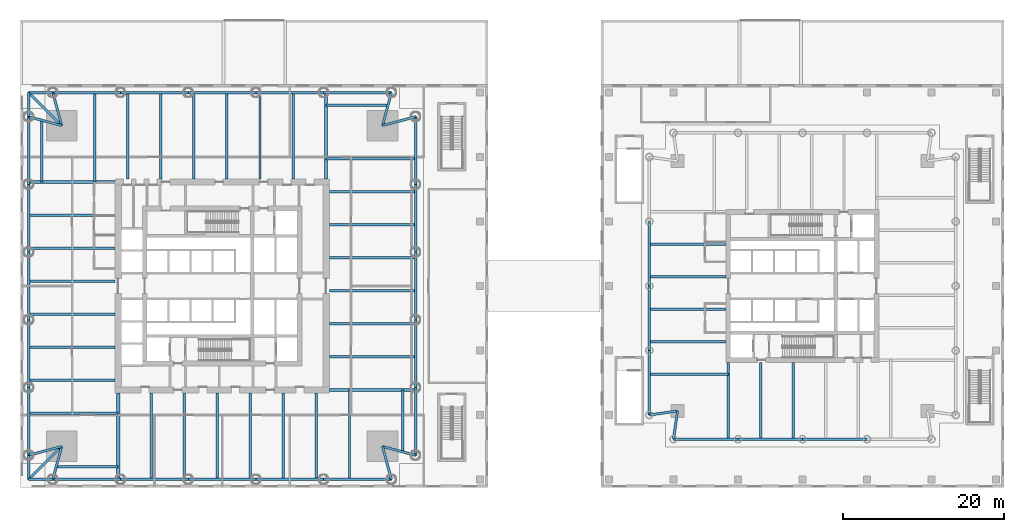
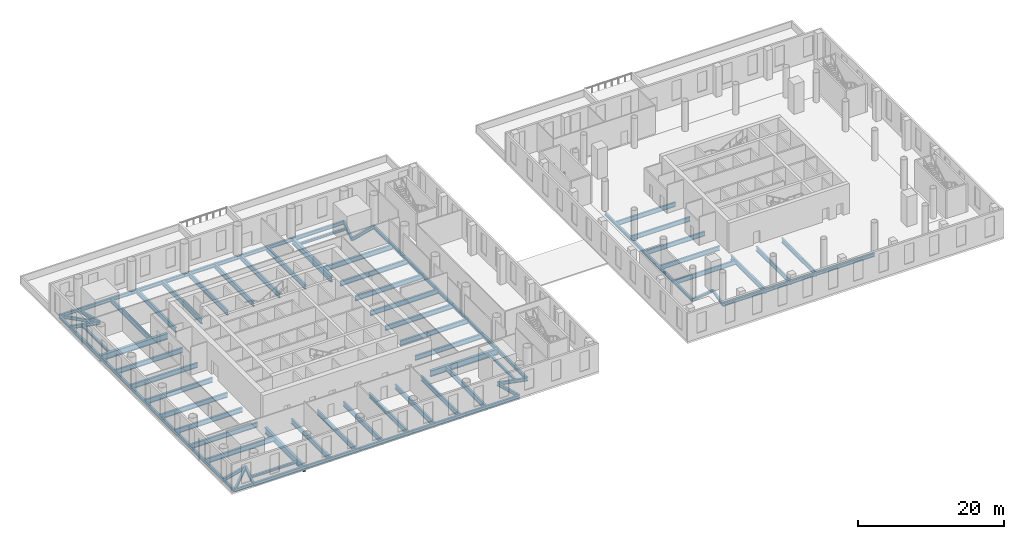
# One storey, part 3 of 16: 86 beams.
"""IFC4 building model written with IfcOpenShell, lengths in metres."""

from ifc_helpers import new_model, si_unit, direction, frame, origin, origin_2d, place, context, subcontext, project, spatial, i_section, extrude, material, material_profile, profile_set, type_object, element, save


model = new_model("IFC4")

# Units and contexts
model_context = context("Model", 3, precision=1e-05, world=origin(), true_north=direction((0.0, 1.0)))
body_context = subcontext(model_context, "Body", "Model", "MODEL_VIEW")
ifc_project = project(units=[si_unit("LENGTHUNIT", "METRE"), si_unit("AREAUNIT", "SQUARE_METRE"), si_unit("VOLUMEUNIT", "CUBIC_METRE"), si_unit("PLANEANGLEUNIT", "RADIAN"), si_unit("MASSUNIT", "GRAM", prefix="KILO")], contexts=[model_context])

# Site, building, storey
site_placement = place(None, origin())
site = spatial("IfcSite", under=ifc_project, at=site_placement, CompositionType="ELEMENT")
building_placement = place(site_placement, origin())
building = spatial("IfcBuilding", under=site, at=building_placement, Name="Ostroluk Exchange", CompositionType="ELEMENT")
storey_placement = place(building_placement, frame((0.0, 0.0, 16.0)))
storey = spatial("IfcBuildingStorey", under=building, at=storey_placement, Name="L03", CompositionType="ELEMENT", Elevation=16.0)

# Beams
ifc_material_1 = material(Name="Steel S355", Category="steel")
ifc_material_profile_1 = material_profile(ifc_material_1, i_section(OverallWidth=0.300048828125, OverallDepth=0.5, WebThickness=0.014404296875, FlangeThickness=0.028076171875, FilletRadius=0.027099609375, at=origin_2d()), Name="HEB 500")
ifc_profile_set_1 = profile_set([ifc_material_profile_1], Name="Steel S355")
beam_type_1 = type_object("IfcBeamType", Name="Balcony beam HEB 500", PredefinedType="BEAM", material=ifc_profile_set_1)
for number, where, z_axis, x_axis, name in (
    (1, (24.0, 70.0, -0.550048828125), (-1.0, 0.0, 0.0), (0.0, -1.0, 0.0), "T1 north balcony beam a"),
    (2, (21.0, 67.0, -0.550048828125), (0.0, 1.0, 0.0), (-1.0, 0.0, 0.0), "T1 north balcony beam b"),
):
    element("IfcBeam", number, at=place(storey_placement, frame(where, z_axis=z_axis, x_axis=x_axis)), inside=storey, type_object=beam_type_1, Name=name, PredefinedType="BEAM", context=body_context, shape_type="SweptSolid", body=[
        extrude(i_section(OverallWidth=0.300048828125, OverallDepth=0.5, WebThickness=0.014404296875, FlangeThickness=0.028076171875, FilletRadius=0.027099609375, at=origin_2d()), origin(), (0.0, 0.0, 1.0), 3.0),
    ])
beam_1_placement = place(storey_placement, frame((25.10009765625, 65.89990234375, -0.550048828125), z_axis=(-0.707106781187, 0.707106781187, 0.0), x_axis=(-0.707106781187, -0.707106781187, 0.0)))
element("IfcBeam", 3, at=beam_1_placement, inside=storey, type_object=beam_type_1, Name="T1 north balcony beam c", PredefinedType="BEAM", context=body_context, shape_type="SweptSolid", body=[
    extrude(i_section(OverallWidth=0.300048828125, OverallDepth=0.5, WebThickness=0.014404296875, FlangeThickness=0.028076171875, FilletRadius=0.027099609375, at=origin_2d()), origin(), (0.0, 0.0, 1.0), 5.79833984375),
])
for number, where, z_axis, x_axis, name in (
    (4, (21.0, 25.0, -0.550048828125), (0.0, -1.0, 0.0), (1.0, 0.0, 0.0), "T1 west balcony beam a"),
    (5, (24.0, 22.0, -0.550048828125), (-1.0, 0.0, 0.0), (0.0, -1.0, 0.0), "T1 west balcony beam b"),
):
    element("IfcBeam", number, at=place(storey_placement, frame(where, z_axis=z_axis, x_axis=x_axis)), inside=storey, type_object=beam_type_1, Name=name, PredefinedType="BEAM", context=body_context, shape_type="SweptSolid", body=[
        extrude(i_section(OverallWidth=0.300048828125, OverallDepth=0.5, WebThickness=0.014404296875, FlangeThickness=0.028076171875, FilletRadius=0.027099609375, at=origin_2d()), origin(), (0.0, 0.0, 1.0), 3.0),
    ])
beam_2_placement = place(storey_placement, frame((25.10009765625, 26.10009765625, -0.550048828125), z_axis=(-0.707106781187, -0.707106781187, 0.0), x_axis=(0.707106781187, -0.707106781187, 0.0)))
element("IfcBeam", 6, at=beam_2_placement, inside=storey, type_object=beam_type_1, Name="T1 west balcony beam c", PredefinedType="BEAM", context=body_context, shape_type="SweptSolid", body=[
    extrude(i_section(OverallWidth=0.300048828125, OverallDepth=0.5, WebThickness=0.014404296875, FlangeThickness=0.028076171875, FilletRadius=0.027099609375, at=origin_2d()), origin(), (0.0, 0.0, 1.0), 5.79833984375),
])
ifc_material_2 = material(Name="Steel S355", Category="steel")
ifc_material_profile_2 = material_profile(ifc_material_2, i_section(OverallWidth=0.300048828125, OverallDepth=0.39990234375, WebThickness=0.013427734375, FlangeThickness=0.02392578125, FilletRadius=0.027099609375, at=origin_2d()), Name="HEB 400")
ifc_profile_set_2 = profile_set([ifc_material_profile_2], Name="Steel S355")
beam_type_2 = type_object("IfcBeamType", Name="Corner edge beam HEB 400", PredefinedType="SPANDREL", material=ifc_profile_set_2)
for number, where, z_axis, x_axis, name in (
    (7, (101.5, 30.5, -0.5), (-0.989949493661, -0.141421356237, 0.0), (0.141421356237, -0.989949493661, 0.0), "T2 west corner edge beam a"),
    (8, (101.5, 30.5, -0.5), (-0.141421356237, -0.989949493661, 0.0), (0.989949493661, -0.141421356237, 0.0), "T2 west corner edge beam b"),
):
    element("IfcBeam", number, at=place(storey_placement, frame(where, z_axis=z_axis, x_axis=x_axis)), inside=storey, type_object=beam_type_2, Name=name, PredefinedType="SPANDREL", context=body_context, shape_type="SweptSolid", body=[
        extrude(i_section(OverallWidth=0.300048828125, OverallDepth=0.39990234375, WebThickness=0.013427734375, FlangeThickness=0.02392578125, FilletRadius=0.027099609375, at=origin_2d()), origin(), (0.0, 0.0, 1.0), 3.53564453125),
    ])
ifc_material_3 = material(Name="Steel S355", Category="steel")
ifc_material_profile_3 = material_profile(ifc_material_3, i_section(OverallWidth=0.300048828125, OverallDepth=0.550048828125, WebThickness=0.014892578125, FlangeThickness=0.029052734375, FilletRadius=0.027099609375, at=origin_2d()), Name="HEB 550")
ifc_profile_set_3 = profile_set([ifc_material_profile_3], Name="Steel S355")
beam_type_3 = type_object("IfcBeamType", Name="Corner edge beam HEB 550", PredefinedType="SPANDREL", material=ifc_profile_set_3)
for number, where, z_axis, x_axis, name in (
    (9, (64.89990234375, 65.89990234375, -0.574951171875), (0.965838624319, 0.259144268261, 0.0), (-0.259144268261, 0.965838624319, 0.0), "T1 east corner edge beam a"),
    (10, (64.89990234375, 65.89990234375, -0.574951171875), (0.259144268261, 0.965838624319, 0.0), (-0.965838624319, 0.259144268261, 0.0), "T1 east corner edge beam b"),
    (11, (25.10009765625, 65.89990234375, -0.574951171875), (-0.259144268261, 0.965838624319, 0.0), (-0.965838624319, -0.259144268261, 0.0), "T1 north corner edge beam a"),
    (12, (25.10009765625, 65.89990234375, -0.574951171875), (-0.965838624319, 0.259144268261, 0.0), (-0.259144268261, -0.965838624319, 0.0), "T1 north corner edge beam b"),
    (13, (25.10009765625, 26.10009765625, -0.574951171875), (-0.965838624319, -0.259144268261, 0.0), (0.259144268261, -0.965838624319, 0.0), "T1 west corner edge beam a"),
    (14, (25.10009765625, 26.10009765625, -0.574951171875), (-0.259144268261, -0.965838624319, 0.0), (0.965838624319, -0.259144268261, 0.0), "T1 west corner edge beam b"),
    (15, (64.89990234375, 26.10009765625, -0.574951171875), (0.259144268261, -0.965838624319, 0.0), (0.965838624319, 0.259144268261, 0.0), "T1 south corner edge beam a"),
    (16, (64.89990234375, 26.10009765625, -0.574951171875), (0.965838624319, -0.259144268261, 0.0), (0.259144268261, 0.965838624319, 0.0), "T1 south corner edge beam b"),
):
    element("IfcBeam", number, at=place(storey_placement, frame(where, z_axis=z_axis, x_axis=x_axis)), inside=storey, type_object=beam_type_3, Name=name, PredefinedType="SPANDREL", context=body_context, shape_type="SweptSolid", body=[
        extrude(i_section(OverallWidth=0.300048828125, OverallDepth=0.550048828125, WebThickness=0.014892578125, FlangeThickness=0.029052734375, FilletRadius=0.027099609375, at=origin_2d()), origin(), (0.0, 0.0, 1.0), 4.2451171875),
    ])
ifc_material_4 = material(Name="Steel S355", Category="steel")
ifc_material_profile_4 = material_profile(ifc_material_4, i_section(OverallWidth=0.300048828125, OverallDepth=0.39990234375, WebThickness=0.013427734375, FlangeThickness=0.02392578125, FilletRadius=0.027099609375, at=origin_2d()), Name="HEB 400")
ifc_profile_set_4 = profile_set([ifc_material_profile_4], Name="Steel S355")
beam_type_4 = type_object("IfcBeamType", Name="Floor beam HEB 400", PredefinedType="BEAM", material=ifc_profile_set_4)
for number, where, z_axis, x_axis, name in (
    (17, (57.89990234375, 68.39990234375, -0.5), (1.0, 0.0, 0.0), (0.0, 1.0, 0.0), "T1 east floor beam 8"),
    (18, (22.60009765625, 58.89990234375, -0.5), (0.0, 1.0, 0.0), (-1.0, 0.0, 0.0), "T1 north floor beam 8"),
    (19, (32.10009765625, 23.60009765625, -0.5), (-1.0, 0.0, 0.0), (0.0, -1.0, 0.0), "T1 west floor beam 8"),
    (20, (67.39990234375, 33.10009765625, -0.5), (0.0, -1.0, 0.0), (1.0, 0.0, 0.0), "T1 south floor beam 8"),
):
    element("IfcBeam", number, at=place(storey_placement, frame(where, z_axis=z_axis, x_axis=x_axis)), inside=storey, type_object=beam_type_4, Name=name, PredefinedType="BEAM", context=body_context, shape_type="SweptSolid", body=[
        extrude(i_section(OverallWidth=0.300048828125, OverallDepth=0.39990234375, WebThickness=0.013427734375, FlangeThickness=0.02392578125, FilletRadius=0.027099609375, at=origin_2d()), origin(), (0.0, 0.0, 1.0), 7.6708984375),
    ])
ifc_material_5 = material(Name="Steel S355", Category="steel")
ifc_material_profile_5 = material_profile(ifc_material_5, i_section(OverallWidth=0.300048828125, OverallDepth=0.800048828125, WebThickness=0.017578125, FlangeThickness=0.032958984375, FilletRadius=0.030029296875, at=origin_2d()), Name="HEB 800")
ifc_profile_set_5 = profile_set([ifc_material_profile_5], Name="Steel S355")
beam_type_5 = type_object("IfcBeamType", Name="Floor beam HEB 800", PredefinedType="BEAM", material=ifc_profile_set_5)
for number, where, z_axis, x_axis, name in (
    (21, (58.300048828125, 37.199951171875, -0.699951171875), (1.0, 0.0, 0.0), (0.0, 1.0, 0.0), "T1 east floor beam 1"),
    (22, (58.300048828125, 41.300048828125, -0.699951171875), (1.0, 0.0, 0.0), (0.0, 1.0, 0.0), "T1 east floor beam 2"),
    (23, (58.300048828125, 45.39990234375, -0.699951171875), (1.0, 0.0, 0.0), (0.0, 1.0, 0.0), "T1 east floor beam 3"),
    (24, (58.300048828125, 49.5, -0.699951171875), (1.0, 0.0, 0.0), (0.0, 1.0, 0.0), "T1 east floor beam 4"),
    (25, (58.300048828125, 53.60009765625, -0.699951171875), (1.0, 0.0, 0.0), (0.0, 1.0, 0.0), "T1 east floor beam 5"),
    (26, (53.800048828125, 59.300048828125, -0.699951171875), (0.0, 1.0, 0.0), (-1.0, 0.0, 0.0), "T1 north floor beam 1"),
    (27, (49.699951171875, 59.300048828125, -0.699951171875), (0.0, 1.0, 0.0), (-1.0, 0.0, 0.0), "T1 north floor beam 2"),
    (28, (45.60009765625, 59.300048828125, -0.699951171875), (0.0, 1.0, 0.0), (-1.0, 0.0, 0.0), "T1 north floor beam 3"),
    (29, (41.5, 59.300048828125, -0.699951171875), (0.0, 1.0, 0.0), (-1.0, 0.0, 0.0), "T1 north floor beam 4"),
    (30, (37.39990234375, 59.300048828125, -0.699951171875), (0.0, 1.0, 0.0), (-1.0, 0.0, 0.0), "T1 north floor beam 5"),
    (31, (31.699951171875, 54.800048828125, -0.699951171875), (-1.0, 0.0, 0.0), (0.0, -1.0, 0.0), "T1 west floor beam 1"),
    (32, (31.699951171875, 50.699951171875, -0.699951171875), (-1.0, 0.0, 0.0), (0.0, -1.0, 0.0), "T1 west floor beam 2"),
    (33, (31.699951171875, 46.60009765625, -0.699951171875), (-1.0, 0.0, 0.0), (0.0, -1.0, 0.0), "T1 west floor beam 3"),
    (34, (31.699951171875, 42.5, -0.699951171875), (-1.0, 0.0, 0.0), (0.0, -1.0, 0.0), "T1 west floor beam 4"),
    (35, (31.699951171875, 38.39990234375, -0.699951171875), (-1.0, 0.0, 0.0), (0.0, -1.0, 0.0), "T1 west floor beam 5"),
    (36, (36.199951171875, 32.699951171875, -0.699951171875), (0.0, -1.0, 0.0), (1.0, 0.0, 0.0), "T1 south floor beam 1"),
    (37, (40.300048828125, 32.699951171875, -0.699951171875), (0.0, -1.0, 0.0), (1.0, 0.0, 0.0), "T1 south floor beam 2"),
    (38, (44.39990234375, 32.699951171875, -0.699951171875), (0.0, -1.0, 0.0), (1.0, 0.0, 0.0), "T1 south floor beam 3"),
    (39, (48.5, 32.699951171875, -0.699951171875), (0.0, -1.0, 0.0), (1.0, 0.0, 0.0), "T1 south floor beam 4"),
    (40, (52.60009765625, 32.699951171875, -0.699951171875), (0.0, -1.0, 0.0), (1.0, 0.0, 0.0), "T1 south floor beam 5"),
):
    element("IfcBeam", number, at=place(storey_placement, frame(where, z_axis=z_axis, x_axis=x_axis)), inside=storey, type_object=beam_type_5, Name=name, PredefinedType="BEAM", context=body_context, shape_type="SweptSolid", body=[
        extrude(i_section(OverallWidth=0.300048828125, OverallDepth=0.800048828125, WebThickness=0.017578125, FlangeThickness=0.032958984375, FilletRadius=0.030029296875, at=origin_2d()), origin(), (0.0, 0.0, 1.0), 10.699951171875),
    ])
ifc_material_6 = material(Name="Steel S355", Category="steel")
ifc_material_profile_6 = material_profile(ifc_material_6, i_section(OverallWidth=0.302978515625, OverallDepth=0.81396484375, WebThickness=0.02099609375, FlangeThickness=0.0400390625, FilletRadius=0.030029296875, at=origin_2d()), Name="HEM 800")
ifc_profile_set_6 = profile_set([ifc_material_profile_6], Name="Steel S355")
beam_type_6 = type_object("IfcBeamType", Name="Floor beam HEM 800", PredefinedType="BEAM", material=ifc_profile_set_6)
beam_3_placement = place(storey_placement, frame((58.300048828125, 57.699951171875, -0.70703125), z_axis=(1.0, 0.0, 0.0), x_axis=(0.0, 1.0, 0.0)))
element("IfcBeam", 41, at=beam_3_placement, inside=storey, type_object=beam_type_6, Name="T1 east floor beam 6", PredefinedType="BEAM", context=body_context, shape_type="SweptSolid", body=[
    extrude(i_section(OverallWidth=0.302978515625, OverallDepth=0.81396484375, WebThickness=0.02099609375, FlangeThickness=0.0400390625, FilletRadius=0.030029296875, at=origin_2d()), origin(), (0.0, 0.0, 1.0), 10.699951171875),
])
beam_4_placement = place(storey_placement, frame((57.89990234375, 61.800048828125, -0.70703125), z_axis=(1.0, 0.0, 0.0), x_axis=(0.0, 1.0, 0.0)))
element("IfcBeam", 42, at=beam_4_placement, inside=storey, type_object=beam_type_6, Name="T1 east floor beam 7", PredefinedType="BEAM", context=body_context, shape_type="SweptSolid", body=[
    extrude(i_section(OverallWidth=0.302978515625, OverallDepth=0.81396484375, WebThickness=0.02099609375, FlangeThickness=0.0400390625, FilletRadius=0.030029296875, at=origin_2d()), origin(), (0.0, 0.0, 1.0), 11.10009765625),
])
beam_5_placement = place(storey_placement, frame((33.300048828125, 59.300048828125, -0.70703125), z_axis=(0.0, 1.0, 0.0), x_axis=(-1.0, 0.0, 0.0)))
element("IfcBeam", 43, at=beam_5_placement, inside=storey, type_object=beam_type_6, Name="T1 north floor beam 6", PredefinedType="BEAM", context=body_context, shape_type="SweptSolid", body=[
    extrude(i_section(OverallWidth=0.302978515625, OverallDepth=0.81396484375, WebThickness=0.02099609375, FlangeThickness=0.0400390625, FilletRadius=0.030029296875, at=origin_2d()), origin(), (0.0, 0.0, 1.0), 10.699951171875),
])
beam_6_placement = place(storey_placement, frame((29.199951171875, 58.89990234375, -0.70703125), z_axis=(0.0, 1.0, 0.0), x_axis=(-1.0, 0.0, 0.0)))
element("IfcBeam", 44, at=beam_6_placement, inside=storey, type_object=beam_type_6, Name="T1 north floor beam 7", PredefinedType="BEAM", context=body_context, shape_type="SweptSolid", body=[
    extrude(i_section(OverallWidth=0.302978515625, OverallDepth=0.81396484375, WebThickness=0.02099609375, FlangeThickness=0.0400390625, FilletRadius=0.030029296875, at=origin_2d()), origin(), (0.0, 0.0, 1.0), 11.10009765625),
])
beam_7_placement = place(storey_placement, frame((31.699951171875, 34.300048828125, -0.70703125), z_axis=(-1.0, 0.0, 0.0), x_axis=(0.0, -1.0, 0.0)))
element("IfcBeam", 45, at=beam_7_placement, inside=storey, type_object=beam_type_6, Name="T1 west floor beam 6", PredefinedType="BEAM", context=body_context, shape_type="SweptSolid", body=[
    extrude(i_section(OverallWidth=0.302978515625, OverallDepth=0.81396484375, WebThickness=0.02099609375, FlangeThickness=0.0400390625, FilletRadius=0.030029296875, at=origin_2d()), origin(), (0.0, 0.0, 1.0), 10.699951171875),
])
beam_8_placement = place(storey_placement, frame((32.10009765625, 30.199951171875, -0.70703125), z_axis=(-1.0, 0.0, 0.0), x_axis=(0.0, -1.0, 0.0)))
element("IfcBeam", 46, at=beam_8_placement, inside=storey, type_object=beam_type_6, Name="T1 west floor beam 7", PredefinedType="BEAM", context=body_context, shape_type="SweptSolid", body=[
    extrude(i_section(OverallWidth=0.302978515625, OverallDepth=0.81396484375, WebThickness=0.02099609375, FlangeThickness=0.0400390625, FilletRadius=0.030029296875, at=origin_2d()), origin(), (0.0, 0.0, 1.0), 11.10009765625),
])
beam_9_placement = place(storey_placement, frame((56.699951171875, 32.699951171875, -0.70703125), z_axis=(0.0, -1.0, 0.0), x_axis=(1.0, 0.0, 0.0)))
element("IfcBeam", 47, at=beam_9_placement, inside=storey, type_object=beam_type_6, Name="T1 south floor beam 6", PredefinedType="BEAM", context=body_context, shape_type="SweptSolid", body=[
    extrude(i_section(OverallWidth=0.302978515625, OverallDepth=0.81396484375, WebThickness=0.02099609375, FlangeThickness=0.0400390625, FilletRadius=0.030029296875, at=origin_2d()), origin(), (0.0, 0.0, 1.0), 10.699951171875),
])
beam_10_placement = place(storey_placement, frame((60.800048828125, 33.10009765625, -0.70703125), z_axis=(0.0, -1.0, 0.0), x_axis=(1.0, 0.0, 0.0)))
element("IfcBeam", 48, at=beam_10_placement, inside=storey, type_object=beam_type_6, Name="T1 south floor beam 7", PredefinedType="BEAM", context=body_context, shape_type="SweptSolid", body=[
    extrude(i_section(OverallWidth=0.302978515625, OverallDepth=0.81396484375, WebThickness=0.02099609375, FlangeThickness=0.0400390625, FilletRadius=0.030029296875, at=origin_2d()), origin(), (0.0, 0.0, 1.0), 11.10009765625),
])
ifc_material_7 = material(Name="Steel S355", Category="steel")
ifc_material_profile_7 = material_profile(ifc_material_7, i_section(OverallWidth=0.264892578125, OverallDepth=0.7529296875, WebThickness=0.01318359375, FlangeThickness=0.01708984375, FilletRadius=0.01708984375, at=origin_2d()), Name="IPE 750x147")
ifc_profile_set_7 = profile_set([ifc_material_profile_7], Name="Steel S355")
beam_type_7 = type_object("IfcBeamType", Name="Floor beam IPE 750x147", PredefinedType="BEAM", material=ifc_profile_set_7)
for number, where, z_axis, x_axis, name in (
    (49, (107.5, 51.17138671875, -0.676513671875), (-1.0, 0.0, 0.0), (0.0, -1.0, 0.0), "T2 west floor beam 1"),
    (50, (107.5, 47.142822265625, -0.676513671875), (-1.0, 0.0, 0.0), (0.0, -1.0, 0.0), "T2 west floor beam 2"),
    (51, (107.5, 43.1142578125, -0.676513671875), (-1.0, 0.0, 0.0), (0.0, -1.0, 0.0), "T2 west floor beam 3"),
    (52, (107.5, 39.085693359375, -0.676513671875), (-1.0, 0.0, 0.0), (0.0, -1.0, 0.0), "T2 west floor beam 4"),
):
    element("IfcBeam", number, at=place(storey_placement, frame(where, z_axis=z_axis, x_axis=x_axis)), inside=storey, type_object=beam_type_7, Name=name, PredefinedType="BEAM", context=body_context, shape_type="SweptSolid", body=[
        extrude(i_section(OverallWidth=0.264892578125, OverallDepth=0.7529296875, WebThickness=0.01318359375, FlangeThickness=0.01708984375, FilletRadius=0.01708984375, at=origin_2d()), origin(), (0.0, 0.0, 1.0), 9.5),
    ])
beam_11_placement = place(storey_placement, frame((107.800048828125, 35.05712890625, -0.676513671875), z_axis=(-1.0, 0.0, 0.0), x_axis=(0.0, -1.0, 0.0)))
element("IfcBeam", 53, at=beam_11_placement, inside=storey, type_object=beam_type_7, Name="T2 west floor beam 5", PredefinedType="BEAM", context=body_context, shape_type="SweptSolid", body=[
    extrude(i_section(OverallWidth=0.264892578125, OverallDepth=0.7529296875, WebThickness=0.01318359375, FlangeThickness=0.01708984375, FilletRadius=0.01708984375, at=origin_2d()), origin(), (0.0, 0.0, 1.0), 9.800048828125),
])
for number, where, z_axis, x_axis, name in (
    (54, (111.82861328125, 36.5, -0.676513671875), (0.0, -1.0, 0.0), (1.0, 0.0, 0.0), "T2 south floor beam 1"),
    (55, (115.857177734375, 36.5, -0.676513671875), (0.0, -1.0, 0.0), (1.0, 0.0, 0.0), "T2 south floor beam 2"),
):
    element("IfcBeam", number, at=place(storey_placement, frame(where, z_axis=z_axis, x_axis=x_axis)), inside=storey, type_object=beam_type_7, Name=name, PredefinedType="BEAM", context=body_context, shape_type="SweptSolid", body=[
        extrude(i_section(OverallWidth=0.264892578125, OverallDepth=0.7529296875, WebThickness=0.01318359375, FlangeThickness=0.01708984375, FilletRadius=0.01708984375, at=origin_2d()), origin(), (0.0, 0.0, 1.0), 9.5),
    ])
ifc_material_8 = material(Name="Steel S355", Category="steel")
ifc_material_profile_8 = material_profile(ifc_material_8, i_section(OverallWidth=0.300048828125, OverallDepth=0.800048828125, WebThickness=0.017578125, FlangeThickness=0.032958984375, FilletRadius=0.030029296875, at=origin_2d()), Name="HEB 800")
ifc_profile_set_8 = profile_set([ifc_material_profile_8], Name="Steel S355")
beam_type_8 = type_object("IfcBeamType", Name="Girder HEB 800", PredefinedType="BEAM", material=ifc_profile_set_8)
beam_12_placement = place(storey_placement, frame((107.800048828125, 36.5, -0.699951171875), z_axis=(0.0, -1.0, 0.0), x_axis=(1.0, 0.0, 0.0)))
element("IfcBeam", 56, at=beam_12_placement, inside=storey, type_object=beam_type_8, Name="T2 west girder", PredefinedType="BEAM", context=body_context, shape_type="SweptSolid", body=[
    extrude(i_section(OverallWidth=0.300048828125, OverallDepth=0.800048828125, WebThickness=0.017578125, FlangeThickness=0.032958984375, FilletRadius=0.030029296875, at=origin_2d()), origin(), (0.0, 0.0, 1.0), 9.5),
])
ifc_material_9 = material(Name="Steel S355", Category="steel")
ifc_material_profile_9 = material_profile(ifc_material_9, i_section(OverallWidth=0.402099609375, OverallDepth=1.011962890625, WebThickness=0.035888671875, FlangeThickness=0.055908203125, FilletRadius=0.030029296875, at=origin_2d()), Name="HL 1000x443")
ifc_profile_set_9 = profile_set([ifc_material_profile_9], Name="Steel S355")
beam_type_9 = type_object("IfcBeamType", Name="Girder HL 1000x443", PredefinedType="BEAM", material=ifc_profile_set_9)
for number, where, z_axis, x_axis, name in (
    (57, (57.89990234375, 59.300048828125, -0.805908203125), (0.0, 1.0, 0.0), (-1.0, 0.0, 0.0), "T1 east girder"),
    (58, (31.699951171875, 58.89990234375, -0.805908203125), (-1.0, 0.0, 0.0), (0.0, -1.0, 0.0), "T1 north girder"),
    (59, (32.10009765625, 32.699951171875, -0.805908203125), (0.0, -1.0, 0.0), (1.0, 0.0, 0.0), "T1 west girder"),
    (60, (58.300048828125, 33.10009765625, -0.805908203125), (1.0, 0.0, 0.0), (0.0, 1.0, 0.0), "T1 south girder"),
):
    element("IfcBeam", number, at=place(storey_placement, frame(where, z_axis=z_axis, x_axis=x_axis)), inside=storey, type_object=beam_type_9, Name=name, PredefinedType="BEAM", context=body_context, shape_type="SweptSolid", body=[
        extrude(i_section(OverallWidth=0.402099609375, OverallDepth=1.011962890625, WebThickness=0.035888671875, FlangeThickness=0.055908203125, FilletRadius=0.030029296875, at=origin_2d()), origin(), (0.0, 0.0, 1.0), 10.699951171875),
    ])
ifc_material_10 = material(Name="Steel S355", Category="steel")
ifc_material_profile_10 = material_profile(ifc_material_10, i_section(OverallWidth=0.300048828125, OverallDepth=0.550048828125, WebThickness=0.014892578125, FlangeThickness=0.029052734375, FilletRadius=0.027099609375, at=origin_2d()), Name="HEB 550")
ifc_profile_set_10 = profile_set([ifc_material_profile_10], Name="Steel S355")
beam_type_10 = type_object("IfcBeamType", Name="Moment-connected edge beam HEB 550", PredefinedType="SPANDREL", material=ifc_profile_set_10)
for number, where, z_axis, x_axis, name in (
    (61, (98.0, 54.0, -0.574951171875), (0.0, -1.0, 0.0), (1.0, 0.0, 0.0), "T2 west edge beam 2"),
    (62, (98.0, 46.0, -0.574951171875), (0.0, -1.0, 0.0), (1.0, 0.0, 0.0), "T2 west edge beam 3"),
    (63, (98.0, 38.0, -0.574951171875), (0.0, -1.0, 0.0), (1.0, 0.0, 0.0), "T2 west edge beam 4"),
    (64, (101.0, 27.0, -0.574951171875), (1.0, 0.0, 0.0), (0.0, 1.0, 0.0), "T2 south edge beam 1"),
    (65, (109.0, 27.0, -0.574951171875), (1.0, 0.0, 0.0), (0.0, 1.0, 0.0), "T2 south edge beam 2"),
    (66, (117.0, 27.0, -0.574951171875), (1.0, 0.0, 0.0), (0.0, 1.0, 0.0), "T2 south edge beam 3"),
):
    element("IfcBeam", number, at=place(storey_placement, frame(where, z_axis=z_axis, x_axis=x_axis)), inside=storey, type_object=beam_type_10, Name=name, PredefinedType="SPANDREL", context=body_context, shape_type="SweptSolid", body=[
        extrude(i_section(OverallWidth=0.300048828125, OverallDepth=0.550048828125, WebThickness=0.014892578125, FlangeThickness=0.029052734375, FilletRadius=0.027099609375, at=origin_2d()), origin(), (0.0, 0.0, 1.0), 8.0),
    ])
ifc_material_11 = material(Name="Steel S355", Category="steel")
ifc_material_profile_11 = material_profile(ifc_material_11, i_section(OverallWidth=0.300048828125, OverallDepth=0.60009765625, WebThickness=0.015380859375, FlangeThickness=0.030029296875, FilletRadius=0.027099609375, at=origin_2d()), Name="HEB 600")
ifc_profile_set_11 = profile_set([ifc_material_profile_11], Name="Steel S355")
beam_type_11 = type_object("IfcBeamType", Name="Moment-connected edge beam HEB 600", PredefinedType="SPANDREL", material=ifc_profile_set_11)
beam_13_placement = place(storey_placement, frame((69.0, 25.0, -0.60009765625), z_axis=(0.0, 1.0, 0.0), x_axis=(-1.0, 0.0, 0.0)))
element("IfcBeam", 67, at=beam_13_placement, inside=storey, type_object=beam_type_11, Name="T1 east edge beam 1", PredefinedType="SPANDREL", context=body_context, shape_type="SweptSolid", body=[
    extrude(i_section(OverallWidth=0.300048828125, OverallDepth=0.60009765625, WebThickness=0.015380859375, FlangeThickness=0.030029296875, FilletRadius=0.027099609375, at=origin_2d()), origin(), (0.0, 0.0, 1.0), 8.39990234375),
])
beam_14_placement = place(storey_placement, frame((69.0, 33.39990234375, -0.60009765625), z_axis=(0.0, 1.0, 0.0), x_axis=(-1.0, 0.0, 0.0)))
element("IfcBeam", 68, at=beam_14_placement, inside=storey, type_object=beam_type_11, Name="T1 east edge beam 2", PredefinedType="SPANDREL", context=body_context, shape_type="SweptSolid", body=[
    extrude(i_section(OverallWidth=0.300048828125, OverallDepth=0.60009765625, WebThickness=0.015380859375, FlangeThickness=0.030029296875, FilletRadius=0.027099609375, at=origin_2d()), origin(), (0.0, 0.0, 1.0), 8.400146484375),
])
beam_15_placement = place(storey_placement, frame((69.0, 41.800048828125, -0.60009765625), z_axis=(0.0, 1.0, 0.0), x_axis=(-1.0, 0.0, 0.0)))
element("IfcBeam", 69, at=beam_15_placement, inside=storey, type_object=beam_type_11, Name="T1 east edge beam 3", PredefinedType="SPANDREL", context=body_context, shape_type="SweptSolid", body=[
    extrude(i_section(OverallWidth=0.300048828125, OverallDepth=0.60009765625, WebThickness=0.015380859375, FlangeThickness=0.030029296875, FilletRadius=0.027099609375, at=origin_2d()), origin(), (0.0, 0.0, 1.0), 8.39990234375),
])
beam_16_placement = place(storey_placement, frame((69.0, 50.199951171875, -0.60009765625), z_axis=(0.0, 1.0, 0.0), x_axis=(-1.0, 0.0, 0.0)))
element("IfcBeam", 70, at=beam_16_placement, inside=storey, type_object=beam_type_11, Name="T1 east edge beam 4", PredefinedType="SPANDREL", context=body_context, shape_type="SweptSolid", body=[
    extrude(i_section(OverallWidth=0.300048828125, OverallDepth=0.60009765625, WebThickness=0.015380859375, FlangeThickness=0.030029296875, FilletRadius=0.027099609375, at=origin_2d()), origin(), (0.0, 0.0, 1.0), 8.400146484375),
])
for number, where, z_axis, x_axis, name in (
    (71, (69.0, 58.60009765625, -0.60009765625), (0.0, 1.0, 0.0), (-1.0, 0.0, 0.0), "T1 east edge beam 5"),
    (72, (66.0, 70.0, -0.60009765625), (-1.0, 0.0, 0.0), (0.0, -1.0, 0.0), "T1 north edge beam 1"),
):
    element("IfcBeam", number, at=place(storey_placement, frame(where, z_axis=z_axis, x_axis=x_axis)), inside=storey, type_object=beam_type_11, Name=name, PredefinedType="SPANDREL", context=body_context, shape_type="SweptSolid", body=[
        extrude(i_section(OverallWidth=0.300048828125, OverallDepth=0.60009765625, WebThickness=0.015380859375, FlangeThickness=0.030029296875, FilletRadius=0.027099609375, at=origin_2d()), origin(), (0.0, 0.0, 1.0), 8.39990234375),
    ])
beam_17_placement = place(storey_placement, frame((57.60009765625, 70.0, -0.60009765625), z_axis=(-1.0, 0.0, 0.0), x_axis=(0.0, -1.0, 0.0)))
element("IfcBeam", 73, at=beam_17_placement, inside=storey, type_object=beam_type_11, Name="T1 north edge beam 2", PredefinedType="SPANDREL", context=body_context, shape_type="SweptSolid", body=[
    extrude(i_section(OverallWidth=0.300048828125, OverallDepth=0.60009765625, WebThickness=0.015380859375, FlangeThickness=0.030029296875, FilletRadius=0.027099609375, at=origin_2d()), origin(), (0.0, 0.0, 1.0), 8.400146484375),
])
beam_18_placement = place(storey_placement, frame((49.199951171875, 70.0, -0.60009765625), z_axis=(-1.0, 0.0, 0.0), x_axis=(0.0, -1.0, 0.0)))
element("IfcBeam", 74, at=beam_18_placement, inside=storey, type_object=beam_type_11, Name="T1 north edge beam 3", PredefinedType="SPANDREL", context=body_context, shape_type="SweptSolid", body=[
    extrude(i_section(OverallWidth=0.300048828125, OverallDepth=0.60009765625, WebThickness=0.015380859375, FlangeThickness=0.030029296875, FilletRadius=0.027099609375, at=origin_2d()), origin(), (0.0, 0.0, 1.0), 8.39990234375),
])
beam_19_placement = place(storey_placement, frame((40.800048828125, 70.0, -0.60009765625), z_axis=(-1.0, 0.0, 0.0), x_axis=(0.0, -1.0, 0.0)))
element("IfcBeam", 75, at=beam_19_placement, inside=storey, type_object=beam_type_11, Name="T1 north edge beam 4", PredefinedType="SPANDREL", context=body_context, shape_type="SweptSolid", body=[
    extrude(i_section(OverallWidth=0.300048828125, OverallDepth=0.60009765625, WebThickness=0.015380859375, FlangeThickness=0.030029296875, FilletRadius=0.027099609375, at=origin_2d()), origin(), (0.0, 0.0, 1.0), 8.400146484375),
])
for number, where, z_axis, x_axis, name in (
    (76, (32.39990234375, 70.0, -0.60009765625), (-1.0, 0.0, 0.0), (0.0, -1.0, 0.0), "T1 north edge beam 5"),
    (77, (21.0, 67.0, -0.60009765625), (0.0, -1.0, 0.0), (1.0, 0.0, 0.0), "T1 west edge beam 1"),
):
    element("IfcBeam", number, at=place(storey_placement, frame(where, z_axis=z_axis, x_axis=x_axis)), inside=storey, type_object=beam_type_11, Name=name, PredefinedType="SPANDREL", context=body_context, shape_type="SweptSolid", body=[
        extrude(i_section(OverallWidth=0.300048828125, OverallDepth=0.60009765625, WebThickness=0.015380859375, FlangeThickness=0.030029296875, FilletRadius=0.027099609375, at=origin_2d()), origin(), (0.0, 0.0, 1.0), 8.39990234375),
    ])
beam_20_placement = place(storey_placement, frame((21.0, 58.60009765625, -0.60009765625), z_axis=(0.0, -1.0, 0.0), x_axis=(1.0, 0.0, 0.0)))
element("IfcBeam", 78, at=beam_20_placement, inside=storey, type_object=beam_type_11, Name="T1 west edge beam 2", PredefinedType="SPANDREL", context=body_context, shape_type="SweptSolid", body=[
    extrude(i_section(OverallWidth=0.300048828125, OverallDepth=0.60009765625, WebThickness=0.015380859375, FlangeThickness=0.030029296875, FilletRadius=0.027099609375, at=origin_2d()), origin(), (0.0, 0.0, 1.0), 8.400146484375),
])
beam_21_placement = place(storey_placement, frame((21.0, 50.199951171875, -0.60009765625), z_axis=(0.0, -1.0, 0.0), x_axis=(1.0, 0.0, 0.0)))
element("IfcBeam", 79, at=beam_21_placement, inside=storey, type_object=beam_type_11, Name="T1 west edge beam 3", PredefinedType="SPANDREL", context=body_context, shape_type="SweptSolid", body=[
    extrude(i_section(OverallWidth=0.300048828125, OverallDepth=0.60009765625, WebThickness=0.015380859375, FlangeThickness=0.030029296875, FilletRadius=0.027099609375, at=origin_2d()), origin(), (0.0, 0.0, 1.0), 8.39990234375),
])
beam_22_placement = place(storey_placement, frame((21.0, 41.800048828125, -0.60009765625), z_axis=(0.0, -1.0, 0.0), x_axis=(1.0, 0.0, 0.0)))
element("IfcBeam", 80, at=beam_22_placement, inside=storey, type_object=beam_type_11, Name="T1 west edge beam 4", PredefinedType="SPANDREL", context=body_context, shape_type="SweptSolid", body=[
    extrude(i_section(OverallWidth=0.300048828125, OverallDepth=0.60009765625, WebThickness=0.015380859375, FlangeThickness=0.030029296875, FilletRadius=0.027099609375, at=origin_2d()), origin(), (0.0, 0.0, 1.0), 8.400146484375),
])
for number, where, z_axis, x_axis, name in (
    (81, (21.0, 33.39990234375, -0.60009765625), (0.0, -1.0, 0.0), (1.0, 0.0, 0.0), "T1 west edge beam 5"),
    (82, (24.0, 22.0, -0.60009765625), (1.0, 0.0, 0.0), (0.0, 1.0, 0.0), "T1 south edge beam 1"),
):
    element("IfcBeam", number, at=place(storey_placement, frame(where, z_axis=z_axis, x_axis=x_axis)), inside=storey, type_object=beam_type_11, Name=name, PredefinedType="SPANDREL", context=body_context, shape_type="SweptSolid", body=[
        extrude(i_section(OverallWidth=0.300048828125, OverallDepth=0.60009765625, WebThickness=0.015380859375, FlangeThickness=0.030029296875, FilletRadius=0.027099609375, at=origin_2d()), origin(), (0.0, 0.0, 1.0), 8.39990234375),
    ])
beam_23_placement = place(storey_placement, frame((32.39990234375, 22.0, -0.60009765625), z_axis=(1.0, 0.0, 0.0), x_axis=(0.0, 1.0, 0.0)))
element("IfcBeam", 83, at=beam_23_placement, inside=storey, type_object=beam_type_11, Name="T1 south edge beam 2", PredefinedType="SPANDREL", context=body_context, shape_type="SweptSolid", body=[
    extrude(i_section(OverallWidth=0.300048828125, OverallDepth=0.60009765625, WebThickness=0.015380859375, FlangeThickness=0.030029296875, FilletRadius=0.027099609375, at=origin_2d()), origin(), (0.0, 0.0, 1.0), 8.400146484375),
])
beam_24_placement = place(storey_placement, frame((40.800048828125, 22.0, -0.60009765625), z_axis=(1.0, 0.0, 0.0), x_axis=(0.0, 1.0, 0.0)))
element("IfcBeam", 84, at=beam_24_placement, inside=storey, type_object=beam_type_11, Name="T1 south edge beam 3", PredefinedType="SPANDREL", context=body_context, shape_type="SweptSolid", body=[
    extrude(i_section(OverallWidth=0.300048828125, OverallDepth=0.60009765625, WebThickness=0.015380859375, FlangeThickness=0.030029296875, FilletRadius=0.027099609375, at=origin_2d()), origin(), (0.0, 0.0, 1.0), 8.39990234375),
])
beam_25_placement = place(storey_placement, frame((49.199951171875, 22.0, -0.60009765625), z_axis=(1.0, 0.0, 0.0), x_axis=(0.0, 1.0, 0.0)))
element("IfcBeam", 85, at=beam_25_placement, inside=storey, type_object=beam_type_11, Name="T1 south edge beam 4", PredefinedType="SPANDREL", context=body_context, shape_type="SweptSolid", body=[
    extrude(i_section(OverallWidth=0.300048828125, OverallDepth=0.60009765625, WebThickness=0.015380859375, FlangeThickness=0.030029296875, FilletRadius=0.027099609375, at=origin_2d()), origin(), (0.0, 0.0, 1.0), 8.400146484375),
])
beam_26_placement = place(storey_placement, frame((57.60009765625, 22.0, -0.60009765625), z_axis=(1.0, 0.0, 0.0), x_axis=(0.0, 1.0, 0.0)))
element("IfcBeam", 86, at=beam_26_placement, inside=storey, type_object=beam_type_11, Name="T1 south edge beam 5", PredefinedType="SPANDREL", context=body_context, shape_type="SweptSolid", body=[
    extrude(i_section(OverallWidth=0.300048828125, OverallDepth=0.60009765625, WebThickness=0.015380859375, FlangeThickness=0.030029296875, FilletRadius=0.027099609375, at=origin_2d()), origin(), (0.0, 0.0, 1.0), 8.39990234375),
])

save(model, "model.ifc")
